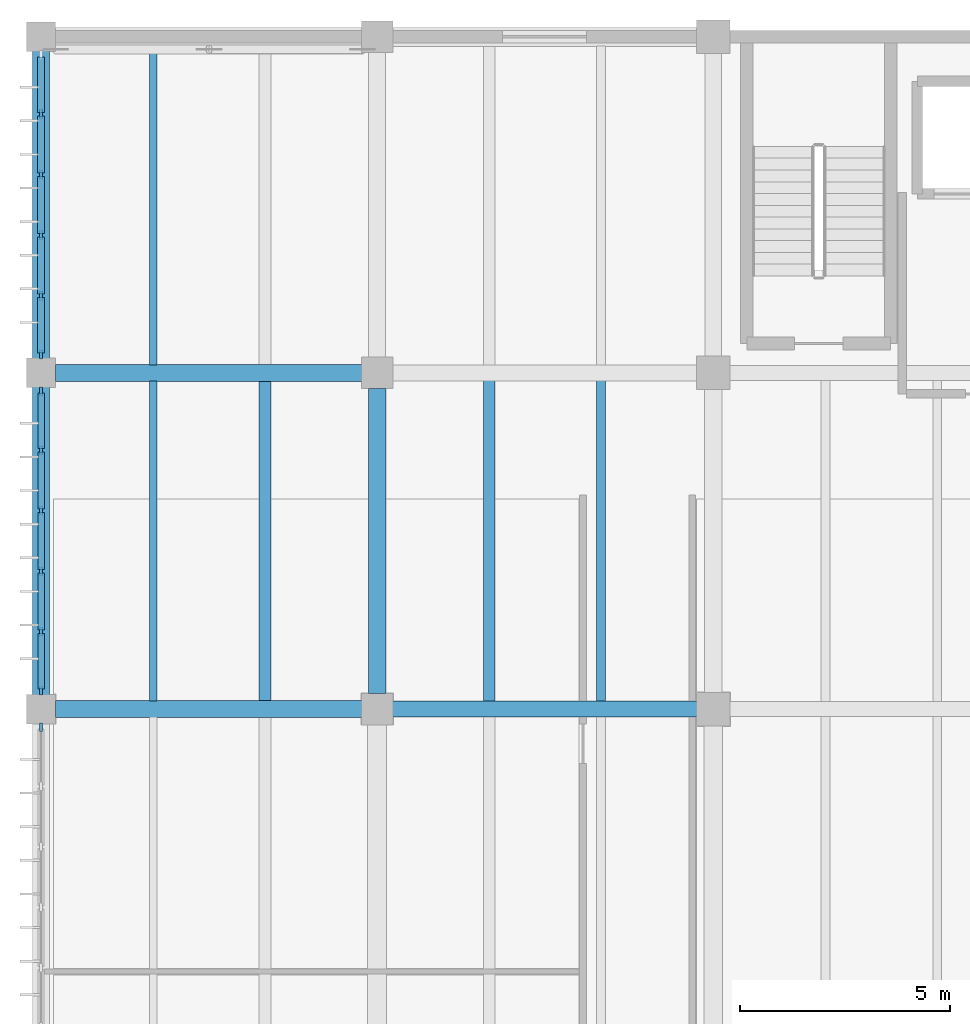
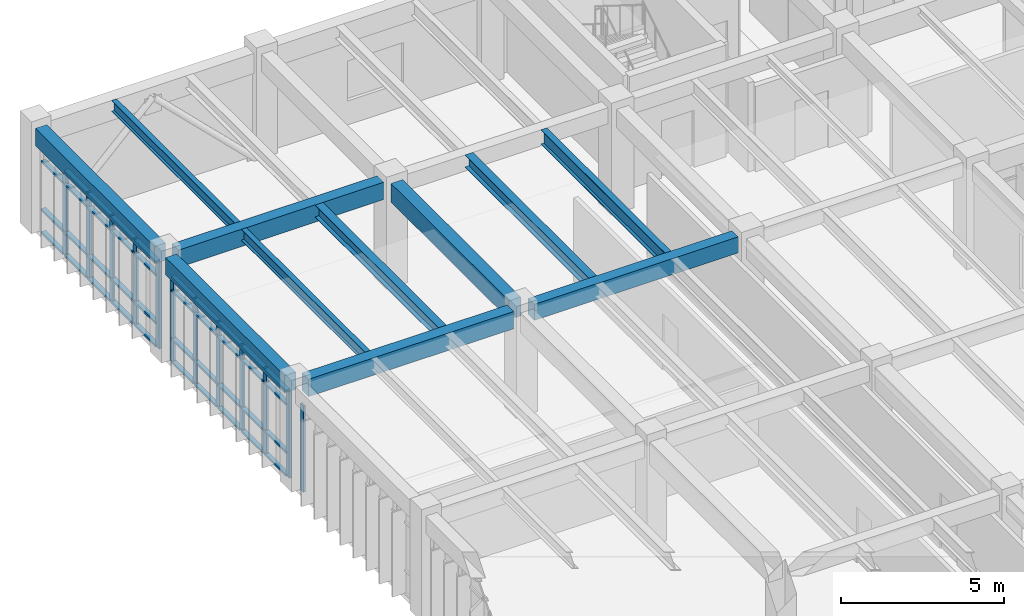
# One storey, part 16 of 67: 51 members, 11 beams, 3 elements without a shape of their own.
"""IFC4 building model written with IfcOpenShell, lengths in metres."""

import ifcopenshell
import ifcopenshell.guid

model = None  # the IFC model being written
_history = None  # IfcOwnerHistory: only IFC2X3 demands one
_inside = {}  # id of a spatial element -> (the spatial element, [elements in it])
_under = {}  # id of a project, library or spatial element -> (it, [spatial elements below it])
_declared = {}  # id of a project -> (the project, [libraries it declares])
_typed = {}  # id of a type object -> (the type object, [elements of that type])
_made_of = {}  # id of a material, layer set ... -> (it, [elements and type objects made of it])


def new_model(schema):
    """Start an empty IFC model of exactly this schema.

    Asked for "IFC4X3", IfcOpenShell would pick the latest addendum, in which some entities
    have other attributes; the version numbers below select the first issue.
    IFC2X3 requires an IfcOwnerHistory on every rooted entity: one is made here for all.
    """
    global model, _history
    if schema == "IFC4X3":
        model = ifcopenshell.file(schema_version=(4, 3, 0, 0))
    else:
        model = ifcopenshell.file(schema=schema)
    _inside.clear()
    _under.clear()
    _declared.clear()
    _typed.clear()
    _made_of.clear()
    _history = None
    if model.schema == "IFC2X3":
        org = make("IfcOrganization", Name="unknown")
        user = make(
            "IfcPersonAndOrganization",
            ThePerson=make("IfcPerson", FamilyName="unknown"),
            TheOrganization=org,
        )
        app = make(
            "IfcApplication",
            ApplicationDeveloper=org,
            Version="unknown",
            ApplicationFullName="unknown",
            ApplicationIdentifier="unknown",
        )
        _history = make(
            "IfcOwnerHistory",
            OwningUser=user,
            OwningApplication=app,
            ChangeAction="ADDED",
            CreationDate=0,
        )
    return model


def make(cls, **values):
    """One entity of the class cls with the attributes given. An attribute that is None is left unset."""
    return model.create_entity(
        cls, **{name: value for name, value in values.items() if value is not None}
    )


def rooted(cls, **values):
    """An entity with a GlobalId (a new one), such as an element, a storey or a relation."""
    return make(cls, GlobalId=ifcopenshell.guid.new(), OwnerHistory=_history, **values)


def si_unit(unit_type, name, prefix=None):
    """IfcSIUnit, for example si_unit("LENGTHUNIT", "METRE", prefix="MILLI")."""
    return make("IfcSIUnit", UnitType=unit_type, Prefix=prefix, Name=name)


def assignment(units):
    """IfcUnitAssignment: the units of a project."""
    return None if units is None else make("IfcUnitAssignment", Units=units)


def point(xyz):
    """IfcCartesianPoint."""
    return None if xyz is None else make("IfcCartesianPoint", Coordinates=xyz)


def direction(xyz):
    """IfcDirection."""
    return None if xyz is None else make("IfcDirection", DirectionRatios=xyz)


def frame(location, z_axis=None, x_axis=None):
    """IfcAxis2Placement3D, a coordinate frame: its origin and axes. An axis left out is left unset."""
    return make(
        "IfcAxis2Placement3D",
        Location=point(location),
        Axis=direction(z_axis),
        RefDirection=direction(x_axis),
    )


def frame_2d(location, x_axis=None):
    """IfcAxis2Placement2D, a coordinate frame in the plane: its origin and x axis."""
    return make(
        "IfcAxis2Placement2D", Location=point(location), RefDirection=direction(x_axis)
    )


def origin():
    """The frame at (0, 0, 0) with its axes left unset."""
    return frame((0.0, 0.0, 0.0))


def origin_2d():
    """The frame at (0, 0) in the plane with its x axis left unset."""
    return frame_2d((0.0, 0.0))


def place(relative_to, where):
    """IfcLocalPlacement: puts the frame where relative to a parent placement (None: the world)."""
    return make(
        "IfcLocalPlacement", PlacementRelTo=relative_to, RelativePlacement=where
    )


def context(
    kind, dimensions, precision=None, world=None, true_north=None, identifier=None
):
    """IfcGeometricRepresentationContext, for example the 3D "Model" context."""
    return make(
        "IfcGeometricRepresentationContext",
        ContextIdentifier=identifier,
        ContextType=kind,
        CoordinateSpaceDimension=dimensions,
        Precision=precision,
        WorldCoordinateSystem=world,
        TrueNorth=true_north,
    )


def subcontext(parent, identifier, kind, view, scale=None):
    """IfcGeometricRepresentationSubContext, for example "Body" below "Model"."""
    return make(
        "IfcGeometricRepresentationSubContext",
        ContextIdentifier=identifier,
        ContextType=kind,
        ParentContext=parent,
        TargetScale=scale,
        TargetView=view,
    )


def project(units=None, contexts=None):
    """IfcProject with its units and contexts."""
    return rooted(
        "IfcProject",
        Name="project",
        RepresentationContexts=contexts,
        UnitsInContext=assignment(units),
    )


def spatial(cls, under=None, at=None, **own):
    """A site, building, storey or space (cls), placed at a placement, below another one or the project."""
    s = rooted(cls, ObjectPlacement=at, **own)
    if under is not None:
        _under.setdefault(under.id(), (under, []))[1].append(s)
    return s


def profile(cls, at=None, kind="AREA", **sizes):
    """A parametric profile (cls). Its sizes go by their IFC names, for example OverallWidth=200.0."""
    return make(cls, ProfileType=kind, Position=at, **sizes)


def rectangle(**sizes):
    """IfcRectangleProfileDef."""
    return profile("IfcRectangleProfileDef", **sizes)


def i_section(**sizes):
    """IfcIShapeProfileDef."""
    return profile("IfcIShapeProfileDef", **sizes)


def extrude(swept, where, along, depth):
    """IfcExtrudedAreaSolid: the profile swept, set in the frame where, extruded along a direction by depth."""
    return make(
        "IfcExtrudedAreaSolid",
        SweptArea=swept,
        Position=where,
        ExtrudedDirection=direction(along),
        Depth=depth,
    )


def shape(context_of_items, identifier, shape_type, items):
    """IfcShapeRepresentation: the items that make up one representation, for example the "Body"."""
    return make(
        "IfcShapeRepresentation",
        ContextOfItems=context_of_items,
        RepresentationIdentifier=identifier,
        RepresentationType=shape_type,
        Items=items,
    )


def material(Name=None, Category=None):
    """IfcMaterial."""
    return make("IfcMaterial", Name=Name, Category=Category)


def material_profile(
    of_material, cross_section, Name=None, Category=None, Priority=None
):
    """IfcMaterialProfile: a cross section and its material."""
    return make(
        "IfcMaterialProfile",
        Name=Name,
        Material=of_material,
        Profile=cross_section,
        Priority=Priority,
        Category=Category,
    )


def profile_set(profiles, Name=None, composite=None):
    """IfcMaterialProfileSet."""
    return make(
        "IfcMaterialProfileSet",
        Name=Name,
        MaterialProfiles=profiles,
        CompositeProfile=composite,
    )


def made_of(thing, what):
    """Note that an element or type object is made of a material, layer set ...; save() writes the relation."""
    if what is not None:
        _made_of.setdefault(what.id(), (what, []))[1].append(thing)
    return thing


def type_object(cls, material=None, **own):
    """A type object (cls), such as IfcWallType, which elements share."""
    return made_of(rooted(cls, **own), material)


def element(
    cls,
    number,
    at=None,
    inside=None,
    cuts=None,
    type_object=None,
    material=None,
    context=None,
    identifier="Body",
    shape_type=None,
    held_by="IfcProductDefinitionShape",
    body=None,
    shapes=None,
    **own,
):
    """One element of the class cls, such as IfcWall. Its Tag is "e" and its number.

    at: its placement. inside: the storey or other place that contains it. cuts: it is an
    opening in that element (IfcRelVoidsElement). A single representation is given by context,
    identifier, shape_type and body (its items); several are given by shapes. held_by: the class
    of the entity that holds the representations. save() writes the other relations.
    """
    e = rooted(cls, Tag="e%d" % number, ObjectPlacement=at, **own)
    if body is not None:
        shapes = [shape(context, identifier, shape_type, body)]
    if shapes is not None:
        e.Representation = make(held_by, Representations=shapes)
    if inside is not None:
        _inside.setdefault(inside.id(), (inside, []))[1].append(e)
    if cuts is not None:
        rooted(
            "IfcRelVoidsElement", RelatingBuildingElement=cuts, RelatedOpeningElement=e
        )
    if type_object is not None:
        _typed.setdefault(type_object.id(), (type_object, []))[1].append(e)
    return made_of(e, material)


def aggregate(whole, parts):
    """IfcRelAggregates: a whole, such as a stair, and the parts it consists of."""
    return rooted("IfcRelAggregates", RelatingObject=whole, RelatedObjects=parts)


def save(model, path):
    """Write the relations noted so far, then the file.

    IfcRelAggregates (storeys below a building ...), IfcRelContainedInSpatialStructure (elements
    in a storey), IfcRelDefinesByType, IfcRelAssociatesMaterial and IfcRelDeclares: one each for
    every whole, place, type object, material and project.
    """
    for whole, parts in _under.values():
        aggregate(whole, parts)
    for where, things in _inside.values():
        rooted(
            "IfcRelContainedInSpatialStructure",
            RelatedElements=things,
            RelatingStructure=where,
        )
    for kind, things in _typed.values():
        rooted("IfcRelDefinesByType", RelatedObjects=things, RelatingType=kind)
    for what, things in _made_of.values():
        rooted("IfcRelAssociatesMaterial", RelatedObjects=things, RelatingMaterial=what)
    for by, libraries in _declared.values():
        rooted("IfcRelDeclares", RelatingContext=by, RelatedDefinitions=libraries)
    model.write(path)


model = new_model("IFC4")

# Units and contexts
model_context = context("Model", 3, precision=1e-05, world=origin(), true_north=direction((0.0, 1.0)))
body_context = subcontext(model_context, "Body", "Model", "MODEL_VIEW")
ifc_project = project(units=[si_unit("LENGTHUNIT", "METRE"), si_unit("AREAUNIT", "SQUARE_METRE"), si_unit("VOLUMEUNIT", "CUBIC_METRE"), si_unit("PLANEANGLEUNIT", "RADIAN"), si_unit("MASSUNIT", "GRAM", prefix="KILO")], contexts=[model_context])

# Site, building, storey
site_placement = place(None, origin())
site = spatial("IfcSite", under=ifc_project, at=site_placement, CompositionType="ELEMENT")
building_placement = place(site_placement, origin())
building = spatial("IfcBuilding", under=site, at=building_placement, Name="Tlaxcora Railside Police Headquarters", CompositionType="ELEMENT")
storey_placement = place(building_placement, frame((0.0, 0.0, 4.800048828125)))
storey = spatial("IfcBuildingStorey", under=building, at=storey_placement, Name="L01", CompositionType="ELEMENT", Elevation=4.800048828125)

# Curtain wall, members
ifc_material_1 = material(Name="Thermally broken low-E insulated glazing", Category="glass")
curtain_wall_type_1 = type_object("IfcCurtainWallType", Name="Unitised Curtain Wall Assembly CW-23", PredefinedType="NOTDEFINED", material=ifc_material_1)
curtain_wall_1_placement = place(storey_placement, origin())
curtain_wall_1 = element("IfcCurtainWall", 1, at=curtain_wall_1_placement, inside=storey, type_object=curtain_wall_type_1, Name="V5 L01 curtain wall 44", PredefinedType="NOTDEFINED")
ifc_material_2 = material(Name="Anodised aluminium framing", Category="aluminium")
ifc_material_profile_1 = material_profile(ifc_material_2, rectangle(XDim=0.080078125, YDim=0.219970703125, at=origin_2d()), Name="AL80X220")
ifc_profile_set_1 = profile_set([ifc_material_profile_1], Name="Anodised aluminium framing")
member_type_1 = type_object("IfcMemberType", Name="Curtain Wall Mullion CW-31", PredefinedType="MULLION", material=ifc_profile_set_1)
member_1_placement = place(storey_placement, frame((5.199951171875, 90.9599609375, 0.0), z_axis=(0.0, 0.0, 1.0), x_axis=(1.0, 0.0, 0.0)))
member_1 = element("IfcMember", 2, at=member_1_placement, type_object=member_type_1, Name="CW mullion 2", PredefinedType="MULLION", context=body_context, shape_type="SweptSolid", body=[
    extrude(rectangle(XDim=0.080078125, YDim=0.219970703125, at=origin_2d()), origin(), (0.0, 0.0, 1.0), 3.239990234375),
])
member_2_placement = place(storey_placement, frame((5.199951171875, 89.52001953125, 0.0), z_axis=(0.0, 0.0, 1.0), x_axis=(1.0, 0.0, 0.0)))
member_2 = element("IfcMember", 3, at=member_2_placement, type_object=member_type_1, Name="CW mullion 3", PredefinedType="MULLION", context=body_context, shape_type="SweptSolid", body=[
    extrude(rectangle(XDim=0.080078125, YDim=0.219970703125, at=origin_2d()), origin(), (0.0, 0.0, 1.0), 3.239990234375),
])
member_3_placement = place(storey_placement, frame((5.199951171875, 88.080078125, 0.0), z_axis=(0.0, 0.0, 1.0), x_axis=(1.0, 0.0, 0.0)))
member_3 = element("IfcMember", 4, at=member_3_placement, type_object=member_type_1, Name="CW mullion 4", PredefinedType="MULLION", context=body_context, shape_type="SweptSolid", body=[
    extrude(rectangle(XDim=0.080078125, YDim=0.219970703125, at=origin_2d()), origin(), (0.0, 0.0, 1.0), 3.239990234375),
])
member_4_placement = place(storey_placement, frame((5.199951171875, 86.639892578125, 0.0), z_axis=(0.0, 0.0, 1.0), x_axis=(1.0, 0.0, 0.0)))
member_4 = element("IfcMember", 5, at=member_4_placement, type_object=member_type_1, Name="CW mullion 5", PredefinedType="MULLION", context=body_context, shape_type="SweptSolid", body=[
    extrude(rectangle(XDim=0.080078125, YDim=0.219970703125, at=origin_2d()), origin(), (0.0, 0.0, 1.0), 3.239990234375),
])
member_5_placement = place(storey_placement, frame((5.199951171875, 85.239990234375, 0.0), z_axis=(0.0, 0.0, 1.0), x_axis=(1.0, 0.0, 0.0)))
member_5 = element("IfcMember", 6, at=member_5_placement, type_object=member_type_1, Name="CW mullion 6", PredefinedType="MULLION", context=body_context, shape_type="SweptSolid", body=[
    extrude(rectangle(XDim=0.080078125, YDim=0.219970703125, at=origin_2d()), origin(), (0.0, 0.0, 1.0), 3.239990234375),
])

curtain_wall_type_2 = type_object("IfcCurtainWallType", Name="Unitised Curtain Wall Assembly CW-38", PredefinedType="NOTDEFINED", material=ifc_material_1)
curtain_wall_2_placement = place(storey_placement, origin())
curtain_wall_2 = element("IfcCurtainWall", 7, at=curtain_wall_2_placement, inside=storey, type_object=curtain_wall_type_2, Name="V5 L01 curtain wall 45", PredefinedType="NOTDEFINED")
ifc_material_profile_2 = material_profile(ifc_material_2, rectangle(XDim=0.074951171875, YDim=0.205078125, at=origin_2d()), Name="AL75X205")
ifc_profile_set_2 = profile_set([ifc_material_profile_2], Name="Anodised aluminium framing")
member_type_2 = type_object("IfcMemberType", Name="Curtain Wall Mullion CW-32", PredefinedType="MULLION", material=ifc_profile_set_2)
member_6_placement = place(storey_placement, frame((5.199951171875, 84.362548828125, 0.0), z_axis=(0.0, 0.0, 1.0), x_axis=(1.0, 0.0, 0.0)))
member_6 = element("IfcMember", 8, at=member_6_placement, type_object=member_type_2, Name="CW mullion 1", PredefinedType="MULLION", context=body_context, shape_type="SweptSolid", body=[
    extrude(rectangle(XDim=0.074951171875, YDim=0.205078125, at=origin_2d()), origin(), (0.0, 0.0, 1.0), 3.239990234375),
])
member_7_placement = place(storey_placement, frame((5.199951171875, 82.9599609375, 0.0), z_axis=(0.0, 0.0, 1.0), x_axis=(1.0, 0.0, 0.0)))
member_7 = element("IfcMember", 9, at=member_7_placement, type_object=member_type_2, Name="CW mullion 2", PredefinedType="MULLION", context=body_context, shape_type="SweptSolid", body=[
    extrude(rectangle(XDim=0.074951171875, YDim=0.205078125, at=origin_2d()), origin(), (0.0, 0.0, 1.0), 3.239990234375),
])
member_8_placement = place(storey_placement, frame((5.199951171875, 81.52001953125, 0.0), z_axis=(0.0, 0.0, 1.0), x_axis=(1.0, 0.0, 0.0)))
member_8 = element("IfcMember", 10, at=member_8_placement, type_object=member_type_2, Name="CW mullion 3", PredefinedType="MULLION", context=body_context, shape_type="SweptSolid", body=[
    extrude(rectangle(XDim=0.074951171875, YDim=0.205078125, at=origin_2d()), origin(), (0.0, 0.0, 1.0), 3.239990234375),
])
member_9_placement = place(storey_placement, frame((5.199951171875, 80.080078125, 0.0), z_axis=(0.0, 0.0, 1.0), x_axis=(1.0, 0.0, 0.0)))
member_9 = element("IfcMember", 11, at=member_9_placement, type_object=member_type_2, Name="CW mullion 4", PredefinedType="MULLION", context=body_context, shape_type="SweptSolid", body=[
    extrude(rectangle(XDim=0.074951171875, YDim=0.205078125, at=origin_2d()), origin(), (0.0, 0.0, 1.0), 3.239990234375),
])
member_10_placement = place(storey_placement, frame((5.199951171875, 78.639892578125, 0.0), z_axis=(0.0, 0.0, 1.0), x_axis=(1.0, 0.0, 0.0)))
member_10 = element("IfcMember", 12, at=member_10_placement, type_object=member_type_2, Name="CW mullion 5", PredefinedType="MULLION", context=body_context, shape_type="SweptSolid", body=[
    extrude(rectangle(XDim=0.074951171875, YDim=0.205078125, at=origin_2d()), origin(), (0.0, 0.0, 1.0), 3.239990234375),
])
member_11_placement = place(storey_placement, frame((5.199951171875, 77.237548828125, 0.0), z_axis=(0.0, 0.0, 1.0), x_axis=(1.0, 0.0, 0.0)))
member_11 = element("IfcMember", 13, at=member_11_placement, type_object=member_type_2, Name="CW mullion 6", PredefinedType="MULLION", context=body_context, shape_type="SweptSolid", body=[
    extrude(rectangle(XDim=0.074951171875, YDim=0.205078125, at=origin_2d()), origin(), (0.0, 0.0, 1.0), 3.239990234375),
])

# Curtain wall, member
curtain_wall_type_3 = type_object("IfcCurtainWallType", Name="Unitised Curtain Wall Assembly CW-15", PredefinedType="NOTDEFINED", material=ifc_material_1)
curtain_wall_3_placement = place(storey_placement, origin())
curtain_wall_3 = element("IfcCurtainWall", 14, at=curtain_wall_3_placement, inside=storey, type_object=curtain_wall_type_3, Name="V5 L01 curtain wall 46", PredefinedType="NOTDEFINED")
ifc_material_profile_3 = material_profile(ifc_material_2, rectangle(XDim=0.074951171875, YDim=0.199951171875, at=origin_2d()), Name="AL75X200")
ifc_profile_set_3 = profile_set([ifc_material_profile_3], Name="Anodised aluminium framing")
member_type_3 = type_object("IfcMemberType", Name="Curtain Wall Mullion CW-58", PredefinedType="MULLION", material=ifc_profile_set_3)
member_12_placement = place(storey_placement, frame((5.199951171875, 76.362548828125, 0.0), z_axis=(0.0, 0.0, 1.0), x_axis=(1.0, 0.0, 0.0)))
member_12 = element("IfcMember", 15, at=member_12_placement, type_object=member_type_3, Name="CW mullion 1", PredefinedType="MULLION", context=body_context, shape_type="SweptSolid", body=[
    extrude(rectangle(XDim=0.074951171875, YDim=0.199951171875, at=origin_2d()), origin(), (0.0, 0.0, 1.0), 3.239990234375),
])
aggregate(curtain_wall_3, [member_12])

# Member
ifc_material_profile_4 = material_profile(ifc_material_2, rectangle(XDim=0.155029296875, YDim=0.074951171875, at=origin_2d()), Name="AL75X155")
ifc_profile_set_4 = profile_set([ifc_material_profile_4], Name="Anodised aluminium framing")
member_type_4 = type_object("IfcMemberType", Name="Curtain Wall Transom CW-30", PredefinedType="USERDEFINED", material=ifc_profile_set_4)
member_13_placement = place(storey_placement, frame((5.199951171875, 84.324951171875, 0.037353515625), z_axis=(0.0, -1.0, 0.0), x_axis=(1.0, 0.0, 0.0)))
member_13 = element("IfcMember", 16, at=member_13_placement, type_object=member_type_4, Name="CW transom 1.1", ObjectType="TRANSOM", PredefinedType="USERDEFINED", context=body_context, shape_type="SweptSolid", body=[
    extrude(rectangle(XDim=0.155029296875, YDim=0.074951171875, at=origin_2d()), origin(), (0.0, 0.0, 1.0), 1.327392578125),
])

member_14_placement = place(storey_placement, frame((5.199951171875, 84.324951171875, 0.89990234375), z_axis=(0.0, -1.0, 0.0), x_axis=(1.0, 0.0, 0.0)))
member_14 = element("IfcMember", 17, at=member_14_placement, type_object=member_type_4, Name="CW transom 1.2", ObjectType="TRANSOM", PredefinedType="USERDEFINED", context=body_context, shape_type="SweptSolid", body=[
    extrude(rectangle(XDim=0.155029296875, YDim=0.074951171875, at=origin_2d()), origin(), (0.0, 0.0, 1.0), 1.327392578125),
])

member_15_placement = place(storey_placement, frame((5.199951171875, 84.324951171875, 2.7099609375), z_axis=(0.0, -1.0, 0.0), x_axis=(1.0, 0.0, 0.0)))
member_15 = element("IfcMember", 18, at=member_15_placement, type_object=member_type_4, Name="CW transom 1.3", ObjectType="TRANSOM", PredefinedType="USERDEFINED", context=body_context, shape_type="SweptSolid", body=[
    extrude(rectangle(XDim=0.155029296875, YDim=0.074951171875, at=origin_2d()), origin(), (0.0, 0.0, 1.0), 1.327392578125),
])

member_16_placement = place(storey_placement, frame((5.199951171875, 84.324951171875, 3.202392578125), z_axis=(0.0, -1.0, 0.0), x_axis=(1.0, 0.0, 0.0)))
member_16 = element("IfcMember", 19, at=member_16_placement, type_object=member_type_4, Name="CW transom 1.4", ObjectType="TRANSOM", PredefinedType="USERDEFINED", context=body_context, shape_type="SweptSolid", body=[
    extrude(rectangle(XDim=0.155029296875, YDim=0.074951171875, at=origin_2d()), origin(), (0.0, 0.0, 1.0), 1.327392578125),
])

member_17_placement = place(storey_placement, frame((5.199951171875, 82.922607421875, 0.037353515625), z_axis=(0.0, -1.0, 0.0), x_axis=(1.0, 0.0, 0.0)))
member_17 = element("IfcMember", 20, at=member_17_placement, type_object=member_type_4, Name="CW transom 2.1", ObjectType="TRANSOM", PredefinedType="USERDEFINED", context=body_context, shape_type="SweptSolid", body=[
    extrude(rectangle(XDim=0.155029296875, YDim=0.074951171875, at=origin_2d()), origin(), (0.0, 0.0, 1.0), 1.364990234375),
])

member_18_placement = place(storey_placement, frame((5.199951171875, 82.922607421875, 0.89990234375), z_axis=(0.0, -1.0, 0.0), x_axis=(1.0, 0.0, 0.0)))
member_18 = element("IfcMember", 21, at=member_18_placement, type_object=member_type_4, Name="CW transom 2.2", ObjectType="TRANSOM", PredefinedType="USERDEFINED", context=body_context, shape_type="SweptSolid", body=[
    extrude(rectangle(XDim=0.155029296875, YDim=0.074951171875, at=origin_2d()), origin(), (0.0, 0.0, 1.0), 1.364990234375),
])

member_19_placement = place(storey_placement, frame((5.199951171875, 82.922607421875, 2.7099609375), z_axis=(0.0, -1.0, 0.0), x_axis=(1.0, 0.0, 0.0)))
member_19 = element("IfcMember", 22, at=member_19_placement, type_object=member_type_4, Name="CW transom 2.3", ObjectType="TRANSOM", PredefinedType="USERDEFINED", context=body_context, shape_type="SweptSolid", body=[
    extrude(rectangle(XDim=0.155029296875, YDim=0.074951171875, at=origin_2d()), origin(), (0.0, 0.0, 1.0), 1.364990234375),
])

member_20_placement = place(storey_placement, frame((5.199951171875, 82.922607421875, 3.202392578125), z_axis=(0.0, -1.0, 0.0), x_axis=(1.0, 0.0, 0.0)))
member_20 = element("IfcMember", 23, at=member_20_placement, type_object=member_type_4, Name="CW transom 2.4", ObjectType="TRANSOM", PredefinedType="USERDEFINED", context=body_context, shape_type="SweptSolid", body=[
    extrude(rectangle(XDim=0.155029296875, YDim=0.074951171875, at=origin_2d()), origin(), (0.0, 0.0, 1.0), 1.364990234375),
])

member_21_placement = place(storey_placement, frame((5.199951171875, 81.482421875, 0.037353515625), z_axis=(0.0, -1.0, 0.0), x_axis=(1.0, 0.0, 0.0)))
member_21 = element("IfcMember", 24, at=member_21_placement, type_object=member_type_4, Name="CW transom 3.1", ObjectType="TRANSOM", PredefinedType="USERDEFINED", context=body_context, shape_type="SweptSolid", body=[
    extrude(rectangle(XDim=0.155029296875, YDim=0.074951171875, at=origin_2d()), origin(), (0.0, 0.0, 1.0), 1.364990234375),
])

member_22_placement = place(storey_placement, frame((5.199951171875, 81.482421875, 0.89990234375), z_axis=(0.0, -1.0, 0.0), x_axis=(1.0, 0.0, 0.0)))
member_22 = element("IfcMember", 25, at=member_22_placement, type_object=member_type_4, Name="CW transom 3.2", ObjectType="TRANSOM", PredefinedType="USERDEFINED", context=body_context, shape_type="SweptSolid", body=[
    extrude(rectangle(XDim=0.155029296875, YDim=0.074951171875, at=origin_2d()), origin(), (0.0, 0.0, 1.0), 1.364990234375),
])

member_23_placement = place(storey_placement, frame((5.199951171875, 81.482421875, 2.7099609375), z_axis=(0.0, -1.0, 0.0), x_axis=(1.0, 0.0, 0.0)))
member_23 = element("IfcMember", 26, at=member_23_placement, type_object=member_type_4, Name="CW transom 3.3", ObjectType="TRANSOM", PredefinedType="USERDEFINED", context=body_context, shape_type="SweptSolid", body=[
    extrude(rectangle(XDim=0.155029296875, YDim=0.074951171875, at=origin_2d()), origin(), (0.0, 0.0, 1.0), 1.364990234375),
])

member_24_placement = place(storey_placement, frame((5.199951171875, 81.482421875, 3.202392578125), z_axis=(0.0, -1.0, 0.0), x_axis=(1.0, 0.0, 0.0)))
member_24 = element("IfcMember", 27, at=member_24_placement, type_object=member_type_4, Name="CW transom 3.4", ObjectType="TRANSOM", PredefinedType="USERDEFINED", context=body_context, shape_type="SweptSolid", body=[
    extrude(rectangle(XDim=0.155029296875, YDim=0.074951171875, at=origin_2d()), origin(), (0.0, 0.0, 1.0), 1.364990234375),
])

member_25_placement = place(storey_placement, frame((5.199951171875, 80.04248046875, 0.037353515625), z_axis=(0.0, -1.0, 0.0), x_axis=(1.0, 0.0, 0.0)))
member_25 = element("IfcMember", 28, at=member_25_placement, type_object=member_type_4, Name="CW transom 4.1", ObjectType="TRANSOM", PredefinedType="USERDEFINED", context=body_context, shape_type="SweptSolid", body=[
    extrude(rectangle(XDim=0.155029296875, YDim=0.074951171875, at=origin_2d()), origin(), (0.0, 0.0, 1.0), 1.364990234375),
])

member_26_placement = place(storey_placement, frame((5.199951171875, 80.04248046875, 0.89990234375), z_axis=(0.0, -1.0, 0.0), x_axis=(1.0, 0.0, 0.0)))
member_26 = element("IfcMember", 29, at=member_26_placement, type_object=member_type_4, Name="CW transom 4.2", ObjectType="TRANSOM", PredefinedType="USERDEFINED", context=body_context, shape_type="SweptSolid", body=[
    extrude(rectangle(XDim=0.155029296875, YDim=0.074951171875, at=origin_2d()), origin(), (0.0, 0.0, 1.0), 1.364990234375),
])

member_27_placement = place(storey_placement, frame((5.199951171875, 80.04248046875, 2.7099609375), z_axis=(0.0, -1.0, 0.0), x_axis=(1.0, 0.0, 0.0)))
member_27 = element("IfcMember", 30, at=member_27_placement, type_object=member_type_4, Name="CW transom 4.3", ObjectType="TRANSOM", PredefinedType="USERDEFINED", context=body_context, shape_type="SweptSolid", body=[
    extrude(rectangle(XDim=0.155029296875, YDim=0.074951171875, at=origin_2d()), origin(), (0.0, 0.0, 1.0), 1.364990234375),
])

member_28_placement = place(storey_placement, frame((5.199951171875, 80.04248046875, 3.202392578125), z_axis=(0.0, -1.0, 0.0), x_axis=(1.0, 0.0, 0.0)))
member_28 = element("IfcMember", 31, at=member_28_placement, type_object=member_type_4, Name="CW transom 4.4", ObjectType="TRANSOM", PredefinedType="USERDEFINED", context=body_context, shape_type="SweptSolid", body=[
    extrude(rectangle(XDim=0.155029296875, YDim=0.074951171875, at=origin_2d()), origin(), (0.0, 0.0, 1.0), 1.364990234375),
])

member_29_placement = place(storey_placement, frame((5.199951171875, 78.6025390625, 0.037353515625), z_axis=(0.0, -1.0, 0.0), x_axis=(1.0, 0.0, 0.0)))
member_29 = element("IfcMember", 32, at=member_29_placement, type_object=member_type_4, Name="CW transom 5.1", ObjectType="TRANSOM", PredefinedType="USERDEFINED", context=body_context, shape_type="SweptSolid", body=[
    extrude(rectangle(XDim=0.155029296875, YDim=0.074951171875, at=origin_2d()), origin(), (0.0, 0.0, 1.0), 1.32763671875),
])

member_30_placement = place(storey_placement, frame((5.199951171875, 78.6025390625, 0.89990234375), z_axis=(0.0, -1.0, 0.0), x_axis=(1.0, 0.0, 0.0)))
member_30 = element("IfcMember", 33, at=member_30_placement, type_object=member_type_4, Name="CW transom 5.2", ObjectType="TRANSOM", PredefinedType="USERDEFINED", context=body_context, shape_type="SweptSolid", body=[
    extrude(rectangle(XDim=0.155029296875, YDim=0.074951171875, at=origin_2d()), origin(), (0.0, 0.0, 1.0), 1.32763671875),
])

member_31_placement = place(storey_placement, frame((5.199951171875, 78.6025390625, 2.7099609375), z_axis=(0.0, -1.0, 0.0), x_axis=(1.0, 0.0, 0.0)))
member_31 = element("IfcMember", 34, at=member_31_placement, type_object=member_type_4, Name="CW transom 5.3", ObjectType="TRANSOM", PredefinedType="USERDEFINED", context=body_context, shape_type="SweptSolid", body=[
    extrude(rectangle(XDim=0.155029296875, YDim=0.074951171875, at=origin_2d()), origin(), (0.0, 0.0, 1.0), 1.32763671875),
])

member_32_placement = place(storey_placement, frame((5.199951171875, 78.6025390625, 3.202392578125), z_axis=(0.0, -1.0, 0.0), x_axis=(1.0, 0.0, 0.0)))
member_32 = element("IfcMember", 35, at=member_32_placement, type_object=member_type_4, Name="CW transom 5.4", ObjectType="TRANSOM", PredefinedType="USERDEFINED", context=body_context, shape_type="SweptSolid", body=[
    extrude(rectangle(XDim=0.155029296875, YDim=0.074951171875, at=origin_2d()), origin(), (0.0, 0.0, 1.0), 1.32763671875),
])

aggregate(curtain_wall_2, [member_6, member_7, member_8, member_9, member_10, member_11, member_13, member_14, member_15, member_16, member_17, member_18, member_19, member_20, member_21, member_22, member_23, member_24, member_25, member_26, member_27, member_28, member_29, member_30, member_31, member_32])

ifc_material_profile_5 = material_profile(ifc_material_2, rectangle(XDim=0.1650390625, YDim=0.080078125, at=origin_2d()), Name="AL80X165")
ifc_profile_set_5 = profile_set([ifc_material_profile_5], Name="Anodised aluminium framing")
member_type_5 = type_object("IfcMemberType", Name="Curtain Wall Transom CW-62", PredefinedType="USERDEFINED", material=ifc_profile_set_5)
member_33_placement = place(storey_placement, frame((5.199951171875, 92.320068359375, 0.0400390625), z_axis=(0.0, -1.0, 0.0), x_axis=(1.0, 0.0, 0.0)))
member_33 = element("IfcMember", 36, at=member_33_placement, type_object=member_type_5, Name="CW transom 1.1", ObjectType="TRANSOM", PredefinedType="USERDEFINED", context=body_context, shape_type="SweptSolid", body=[
    extrude(rectangle(XDim=0.1650390625, YDim=0.080078125, at=origin_2d()), origin(), (0.0, 0.0, 1.0), 1.320068359375),
])

member_34_placement = place(storey_placement, frame((5.199951171875, 92.320068359375, 0.89990234375), z_axis=(0.0, -1.0, 0.0), x_axis=(1.0, 0.0, 0.0)))
member_34 = element("IfcMember", 37, at=member_34_placement, type_object=member_type_5, Name="CW transom 1.2", ObjectType="TRANSOM", PredefinedType="USERDEFINED", context=body_context, shape_type="SweptSolid", body=[
    extrude(rectangle(XDim=0.1650390625, YDim=0.080078125, at=origin_2d()), origin(), (0.0, 0.0, 1.0), 1.320068359375),
])

member_35_placement = place(storey_placement, frame((5.199951171875, 92.320068359375, 2.7099609375), z_axis=(0.0, -1.0, 0.0), x_axis=(1.0, 0.0, 0.0)))
member_35 = element("IfcMember", 38, at=member_35_placement, type_object=member_type_5, Name="CW transom 1.3", ObjectType="TRANSOM", PredefinedType="USERDEFINED", context=body_context, shape_type="SweptSolid", body=[
    extrude(rectangle(XDim=0.1650390625, YDim=0.080078125, at=origin_2d()), origin(), (0.0, 0.0, 1.0), 1.320068359375),
])

member_36_placement = place(storey_placement, frame((5.199951171875, 90.919921875, 0.0400390625), z_axis=(0.0, -1.0, 0.0), x_axis=(1.0, 0.0, 0.0)))
member_36 = element("IfcMember", 39, at=member_36_placement, type_object=member_type_5, Name="CW transom 2.1", ObjectType="TRANSOM", PredefinedType="USERDEFINED", context=body_context, shape_type="SweptSolid", body=[
    extrude(rectangle(XDim=0.1650390625, YDim=0.080078125, at=origin_2d()), origin(), (0.0, 0.0, 1.0), 1.35986328125),
])

member_37_placement = place(storey_placement, frame((5.199951171875, 90.919921875, 0.89990234375), z_axis=(0.0, -1.0, 0.0), x_axis=(1.0, 0.0, 0.0)))
member_37 = element("IfcMember", 40, at=member_37_placement, type_object=member_type_5, Name="CW transom 2.2", ObjectType="TRANSOM", PredefinedType="USERDEFINED", context=body_context, shape_type="SweptSolid", body=[
    extrude(rectangle(XDim=0.1650390625, YDim=0.080078125, at=origin_2d()), origin(), (0.0, 0.0, 1.0), 1.35986328125),
])

member_38_placement = place(storey_placement, frame((5.199951171875, 90.919921875, 2.7099609375), z_axis=(0.0, -1.0, 0.0), x_axis=(1.0, 0.0, 0.0)))
member_38 = element("IfcMember", 41, at=member_38_placement, type_object=member_type_5, Name="CW transom 2.3", ObjectType="TRANSOM", PredefinedType="USERDEFINED", context=body_context, shape_type="SweptSolid", body=[
    extrude(rectangle(XDim=0.1650390625, YDim=0.080078125, at=origin_2d()), origin(), (0.0, 0.0, 1.0), 1.35986328125),
])

member_39_placement = place(storey_placement, frame((5.199951171875, 90.919921875, 3.199951171875), z_axis=(0.0, -1.0, 0.0), x_axis=(1.0, 0.0, 0.0)))
member_39 = element("IfcMember", 42, at=member_39_placement, type_object=member_type_5, Name="CW transom 2.4", ObjectType="TRANSOM", PredefinedType="USERDEFINED", context=body_context, shape_type="SweptSolid", body=[
    extrude(rectangle(XDim=0.1650390625, YDim=0.080078125, at=origin_2d()), origin(), (0.0, 0.0, 1.0), 1.35986328125),
])

member_40_placement = place(storey_placement, frame((5.199951171875, 89.47998046875, 0.0400390625), z_axis=(0.0, -1.0, 0.0), x_axis=(1.0, 0.0, 0.0)))
member_40 = element("IfcMember", 43, at=member_40_placement, type_object=member_type_5, Name="CW transom 3.1", ObjectType="TRANSOM", PredefinedType="USERDEFINED", context=body_context, shape_type="SweptSolid", body=[
    extrude(rectangle(XDim=0.1650390625, YDim=0.080078125, at=origin_2d()), origin(), (0.0, 0.0, 1.0), 1.35986328125),
])

member_41_placement = place(storey_placement, frame((5.199951171875, 89.47998046875, 0.89990234375), z_axis=(0.0, -1.0, 0.0), x_axis=(1.0, 0.0, 0.0)))
member_41 = element("IfcMember", 44, at=member_41_placement, type_object=member_type_5, Name="CW transom 3.2", ObjectType="TRANSOM", PredefinedType="USERDEFINED", context=body_context, shape_type="SweptSolid", body=[
    extrude(rectangle(XDim=0.1650390625, YDim=0.080078125, at=origin_2d()), origin(), (0.0, 0.0, 1.0), 1.35986328125),
])

member_42_placement = place(storey_placement, frame((5.199951171875, 89.47998046875, 2.7099609375), z_axis=(0.0, -1.0, 0.0), x_axis=(1.0, 0.0, 0.0)))
member_42 = element("IfcMember", 45, at=member_42_placement, type_object=member_type_5, Name="CW transom 3.3", ObjectType="TRANSOM", PredefinedType="USERDEFINED", context=body_context, shape_type="SweptSolid", body=[
    extrude(rectangle(XDim=0.1650390625, YDim=0.080078125, at=origin_2d()), origin(), (0.0, 0.0, 1.0), 1.35986328125),
])

member_43_placement = place(storey_placement, frame((5.199951171875, 89.47998046875, 3.199951171875), z_axis=(0.0, -1.0, 0.0), x_axis=(1.0, 0.0, 0.0)))
member_43 = element("IfcMember", 46, at=member_43_placement, type_object=member_type_5, Name="CW transom 3.4", ObjectType="TRANSOM", PredefinedType="USERDEFINED", context=body_context, shape_type="SweptSolid", body=[
    extrude(rectangle(XDim=0.1650390625, YDim=0.080078125, at=origin_2d()), origin(), (0.0, 0.0, 1.0), 1.35986328125),
])

member_44_placement = place(storey_placement, frame((5.199951171875, 88.0400390625, 0.0400390625), z_axis=(0.0, -1.0, 0.0), x_axis=(1.0, 0.0, 0.0)))
member_44 = element("IfcMember", 47, at=member_44_placement, type_object=member_type_5, Name="CW transom 4.1", ObjectType="TRANSOM", PredefinedType="USERDEFINED", context=body_context, shape_type="SweptSolid", body=[
    extrude(rectangle(XDim=0.1650390625, YDim=0.080078125, at=origin_2d()), origin(), (0.0, 0.0, 1.0), 1.360107421875),
])

member_45_placement = place(storey_placement, frame((5.199951171875, 88.0400390625, 0.89990234375), z_axis=(0.0, -1.0, 0.0), x_axis=(1.0, 0.0, 0.0)))
member_45 = element("IfcMember", 48, at=member_45_placement, type_object=member_type_5, Name="CW transom 4.2", ObjectType="TRANSOM", PredefinedType="USERDEFINED", context=body_context, shape_type="SweptSolid", body=[
    extrude(rectangle(XDim=0.1650390625, YDim=0.080078125, at=origin_2d()), origin(), (0.0, 0.0, 1.0), 1.360107421875),
])

member_46_placement = place(storey_placement, frame((5.199951171875, 88.0400390625, 2.7099609375), z_axis=(0.0, -1.0, 0.0), x_axis=(1.0, 0.0, 0.0)))
member_46 = element("IfcMember", 49, at=member_46_placement, type_object=member_type_5, Name="CW transom 4.3", ObjectType="TRANSOM", PredefinedType="USERDEFINED", context=body_context, shape_type="SweptSolid", body=[
    extrude(rectangle(XDim=0.1650390625, YDim=0.080078125, at=origin_2d()), origin(), (0.0, 0.0, 1.0), 1.360107421875),
])

member_47_placement = place(storey_placement, frame((5.199951171875, 88.0400390625, 3.199951171875), z_axis=(0.0, -1.0, 0.0), x_axis=(1.0, 0.0, 0.0)))
member_47 = element("IfcMember", 50, at=member_47_placement, type_object=member_type_5, Name="CW transom 4.4", ObjectType="TRANSOM", PredefinedType="USERDEFINED", context=body_context, shape_type="SweptSolid", body=[
    extrude(rectangle(XDim=0.1650390625, YDim=0.080078125, at=origin_2d()), origin(), (0.0, 0.0, 1.0), 1.360107421875),
])

member_48_placement = place(storey_placement, frame((5.199951171875, 86.60009765625, 0.0400390625), z_axis=(0.0, -1.0, 0.0), x_axis=(1.0, 0.0, 0.0)))
member_48 = element("IfcMember", 51, at=member_48_placement, type_object=member_type_5, Name="CW transom 5.1", ObjectType="TRANSOM", PredefinedType="USERDEFINED", context=body_context, shape_type="SweptSolid", body=[
    extrude(rectangle(XDim=0.1650390625, YDim=0.080078125, at=origin_2d()), origin(), (0.0, 0.0, 1.0), 1.320068359375),
])

member_49_placement = place(storey_placement, frame((5.199951171875, 86.60009765625, 0.89990234375), z_axis=(0.0, -1.0, 0.0), x_axis=(1.0, 0.0, 0.0)))
member_49 = element("IfcMember", 52, at=member_49_placement, type_object=member_type_5, Name="CW transom 5.2", ObjectType="TRANSOM", PredefinedType="USERDEFINED", context=body_context, shape_type="SweptSolid", body=[
    extrude(rectangle(XDim=0.1650390625, YDim=0.080078125, at=origin_2d()), origin(), (0.0, 0.0, 1.0), 1.320068359375),
])

member_50_placement = place(storey_placement, frame((5.199951171875, 86.60009765625, 2.7099609375), z_axis=(0.0, -1.0, 0.0), x_axis=(1.0, 0.0, 0.0)))
member_50 = element("IfcMember", 53, at=member_50_placement, type_object=member_type_5, Name="CW transom 5.3", ObjectType="TRANSOM", PredefinedType="USERDEFINED", context=body_context, shape_type="SweptSolid", body=[
    extrude(rectangle(XDim=0.1650390625, YDim=0.080078125, at=origin_2d()), origin(), (0.0, 0.0, 1.0), 1.320068359375),
])

member_51_placement = place(storey_placement, frame((5.199951171875, 86.60009765625, 3.199951171875), z_axis=(0.0, -1.0, 0.0), x_axis=(1.0, 0.0, 0.0)))
member_51 = element("IfcMember", 54, at=member_51_placement, type_object=member_type_5, Name="CW transom 5.4", ObjectType="TRANSOM", PredefinedType="USERDEFINED", context=body_context, shape_type="SweptSolid", body=[
    extrude(rectangle(XDim=0.1650390625, YDim=0.080078125, at=origin_2d()), origin(), (0.0, 0.0, 1.0), 1.320068359375),
])

aggregate(curtain_wall_1, [member_1, member_2, member_3, member_4, member_5, member_33, member_34, member_35, member_36, member_37, member_38, member_39, member_40, member_41, member_42, member_43, member_44, member_45, member_46, member_47, member_48, member_49, member_50, member_51])

# Beams
ifc_material_3 = material(Name="Concrete C40/50", Category="concrete")
ifc_material_profile_6 = material_profile(ifc_material_3, rectangle(XDim=0.39990234375, YDim=0.64990234375, at=origin_2d()), Name="RC400X650")
ifc_profile_set_6 = profile_set([ifc_material_profile_6], Name="Concrete C40/50")
beam_type_1 = type_object("IfcBeamType", Name="Perimeter Spandrel Beam BM-46", PredefinedType="SPANDREL", material=ifc_profile_set_6)
for number, where, z_axis, x_axis, name in (
    (55, (5.199951171875, 77.139892578125, 3.5849609375), (0.0, 1.0, 0.0), (-1.0, 0.0, 0.0), "V5 L01 Y-girder X=5.2"),
    (56, (5.199951171875, 85.139892578125, 3.5849609375), (0.0, 1.0, 0.0), (-1.0, 0.0, 0.0), "V5 L01 Y-girder X=5.2"),
):
    element("IfcBeam", number, at=place(storey_placement, frame(where, z_axis=z_axis, x_axis=x_axis)), inside=storey, type_object=beam_type_1, Name=name, PredefinedType="SPANDREL", context=body_context, shape_type="SweptSolid", body=[
        extrude(rectangle(XDim=0.39990234375, YDim=0.64990234375, at=origin_2d()), origin(), (0.0, 0.0, 1.0), 7.320068359375),
    ])
ifc_material_profile_7 = material_profile(ifc_material_3, rectangle(XDim=0.3798828125, YDim=0.60009765625, at=origin_2d()), Name="RC380X600")
ifc_profile_set_7 = profile_set([ifc_material_profile_7], Name="Concrete C40/50")
beam_type_2 = type_object("IfcBeamType", Name="Primary Frame Girder BM-22", PredefinedType="BEAM", material=ifc_profile_set_7)
beam_1_placement = place(storey_placement, frame((13.56494140625, 76.800048828125, 3.60986328125), z_axis=(1.0, 0.0, 0.0), x_axis=(0.0, 1.0, 0.0)))
element("IfcBeam", 57, at=beam_1_placement, inside=storey, type_object=beam_type_2, Name="V5 L01 X-girder Y=76.8", PredefinedType="BEAM", context=body_context, shape_type="SweptSolid", body=[
    extrude(rectangle(XDim=0.3798828125, YDim=0.60009765625, at=origin_2d()), origin(), (0.0, 0.0, 1.0), 7.2451171875),
])
ifc_material_profile_8 = material_profile(ifc_material_3, rectangle(XDim=0.419921875, YDim=0.699951171875, at=origin_2d()), Name="RC420X700")
ifc_profile_set_8 = profile_set([ifc_material_profile_8], Name="Concrete C40/50")
beam_type_3 = type_object("IfcBeamType", Name="Primary Frame Girder BM-35", PredefinedType="BEAM", material=ifc_profile_set_8)
beam_2_placement = place(storey_placement, frame((13.199951171875, 77.1650390625, 3.56005859375), z_axis=(0.0, 1.0, 0.0), x_axis=(-1.0, 0.0, 0.0)))
element("IfcBeam", 58, at=beam_2_placement, inside=storey, type_object=beam_type_3, Name="V5 L01 Y-girder X=13.2", PredefinedType="BEAM", context=body_context, shape_type="SweptSolid", body=[
    extrude(rectangle(XDim=0.419921875, YDim=0.699951171875, at=origin_2d()), origin(), (0.0, 0.0, 1.0), 7.27001953125),
])
ifc_material_profile_9 = material_profile(ifc_material_3, rectangle(XDim=0.39990234375, YDim=0.64990234375, at=origin_2d()), Name="RC400X650")
ifc_profile_set_9 = profile_set([ifc_material_profile_9], Name="Concrete C40/50")
beam_type_4 = type_object("IfcBeamType", Name="Primary Frame Girder BM-41", PredefinedType="BEAM", material=ifc_profile_set_9)
for number, where, z_axis, x_axis, name in (
    (59, (5.5400390625, 76.800048828125, 3.5849609375), (1.0, 0.0, 0.0), (0.0, 1.0, 0.0), "V5 L01 X-girder Y=76.8"),
    (60, (5.5400390625, 84.800048828125, 3.5849609375), (1.0, 0.0, 0.0), (0.0, 1.0, 0.0), "V5 L01 X-girder Y=84.8"),
):
    element("IfcBeam", number, at=place(storey_placement, frame(where, z_axis=z_axis, x_axis=x_axis)), inside=storey, type_object=beam_type_4, Name=name, PredefinedType="BEAM", context=body_context, shape_type="SweptSolid", body=[
        extrude(rectangle(XDim=0.39990234375, YDim=0.64990234375, at=origin_2d()), origin(), (0.0, 0.0, 1.0), 7.294921875),
    ])
ifc_material_4 = material(Name="Steel ASTM A992 Grade 50", Category="steel")
ifc_material_profile_10 = material_profile(ifc_material_4, i_section(OverallWidth=0.280029296875, OverallDepth=0.4619140625, WebThickness=0.0107421875, FlangeThickness=0.017333984375, at=origin_2d()), Name="W18X76")
ifc_profile_set_10 = profile_set([ifc_material_profile_10], Name="Steel ASTM A992 Grade 50")
beam_type_5 = type_object("IfcBeamType", Name="Secondary Floor Joist BM-44", PredefinedType="JOIST", material=ifc_profile_set_10)
beam_3_placement = place(storey_placement, frame((10.533203125, 76.991943359375, 3.678955078125), z_axis=(0.0, 1.0, 0.0), x_axis=(-1.0, 0.0, 0.0)))
element("IfcBeam", 61, at=beam_3_placement, inside=storey, type_object=beam_type_5, Name="V5 L01 floor joist X=10.53", PredefinedType="JOIST", context=body_context, shape_type="SweptSolid", body=[
    extrude(i_section(OverallWidth=0.280029296875, OverallDepth=0.4619140625, WebThickness=0.0107421875, FlangeThickness=0.017333984375, at=origin_2d()), origin(), (0.0, 0.0, 1.0), 7.615966796875),
])
beam_4_placement = place(storey_placement, frame((15.86669921875, 76.98193359375, 3.678955078125), z_axis=(0.0, 1.0, 0.0), x_axis=(-1.0, 0.0, 0.0)))
element("IfcBeam", 62, at=beam_4_placement, inside=storey, type_object=beam_type_5, Name="V5 L01 floor joist X=15.87", PredefinedType="JOIST", context=body_context, shape_type="SweptSolid", body=[
    extrude(i_section(OverallWidth=0.280029296875, OverallDepth=0.4619140625, WebThickness=0.0107421875, FlangeThickness=0.017333984375, at=origin_2d()), origin(), (0.0, 0.0, 1.0), 7.635986328125),
])
ifc_material_profile_11 = material_profile(ifc_material_4, i_section(OverallWidth=0.180908203125, OverallDepth=0.4169921875, WebThickness=0.010009765625, FlangeThickness=0.018310546875, at=origin_2d()), Name="W16X57")
ifc_profile_set_11 = profile_set([ifc_material_profile_11], Name="Steel ASTM A992 Grade 50")
beam_type_6 = type_object("IfcBeamType", Name="Secondary Floor Joist BM-84", PredefinedType="JOIST", material=ifc_profile_set_11)
beam_5_placement = place(storey_placement, frame((7.86669921875, 76.991943359375, 3.701416015625), z_axis=(0.0, 1.0, 0.0), x_axis=(-1.0, 0.0, 0.0)))
element("IfcBeam", 63, at=beam_5_placement, inside=storey, type_object=beam_type_6, Name="V5 L01 floor joist X=7.87", PredefinedType="JOIST", context=body_context, shape_type="SweptSolid", body=[
    extrude(i_section(OverallWidth=0.180908203125, OverallDepth=0.4169921875, WebThickness=0.010009765625, FlangeThickness=0.018310546875, at=origin_2d()), origin(), (0.0, 0.0, 1.0), 7.615966796875),
])
beam_6_placement = place(storey_placement, frame((7.86669921875, 84.991943359375, 3.701416015625), z_axis=(0.0, 1.0, 0.0), x_axis=(-1.0, 0.0, 0.0)))
element("IfcBeam", 64, at=beam_6_placement, inside=storey, type_object=beam_type_6, Name="V5 L01 floor joist X=7.87", PredefinedType="JOIST", context=body_context, shape_type="SweptSolid", body=[
    extrude(i_section(OverallWidth=0.180908203125, OverallDepth=0.4169921875, WebThickness=0.010009765625, FlangeThickness=0.018310546875, at=origin_2d()), origin(), (0.0, 0.0, 1.0), 7.591064453125),
])
ifc_material_profile_12 = material_profile(ifc_material_4, i_section(OverallWidth=0.214111328125, OverallDepth=0.549072265625, WebThickness=0.0146484375, FlangeThickness=0.023681640625, at=origin_2d()), Name="W21X93")
ifc_profile_set_12 = profile_set([ifc_material_profile_12], Name="Steel ASTM A992 Grade 50")
beam_type_7 = type_object("IfcBeamType", Name="Secondary Floor Joist BM-97", PredefinedType="JOIST", material=ifc_profile_set_12)
beam_7_placement = place(storey_placement, frame((18.533203125, 76.98193359375, 3.635498046875), z_axis=(0.0, 1.0, 0.0), x_axis=(-1.0, 0.0, 0.0)))
element("IfcBeam", 65, at=beam_7_placement, inside=storey, type_object=beam_type_7, Name="V5 L01 floor joist X=18.53", PredefinedType="JOIST", context=body_context, shape_type="SweptSolid", body=[
    extrude(i_section(OverallWidth=0.214111328125, OverallDepth=0.549072265625, WebThickness=0.0146484375, FlangeThickness=0.023681640625, at=origin_2d()), origin(), (0.0, 0.0, 1.0), 7.635986328125),
])

save(model, "model.ifc")
